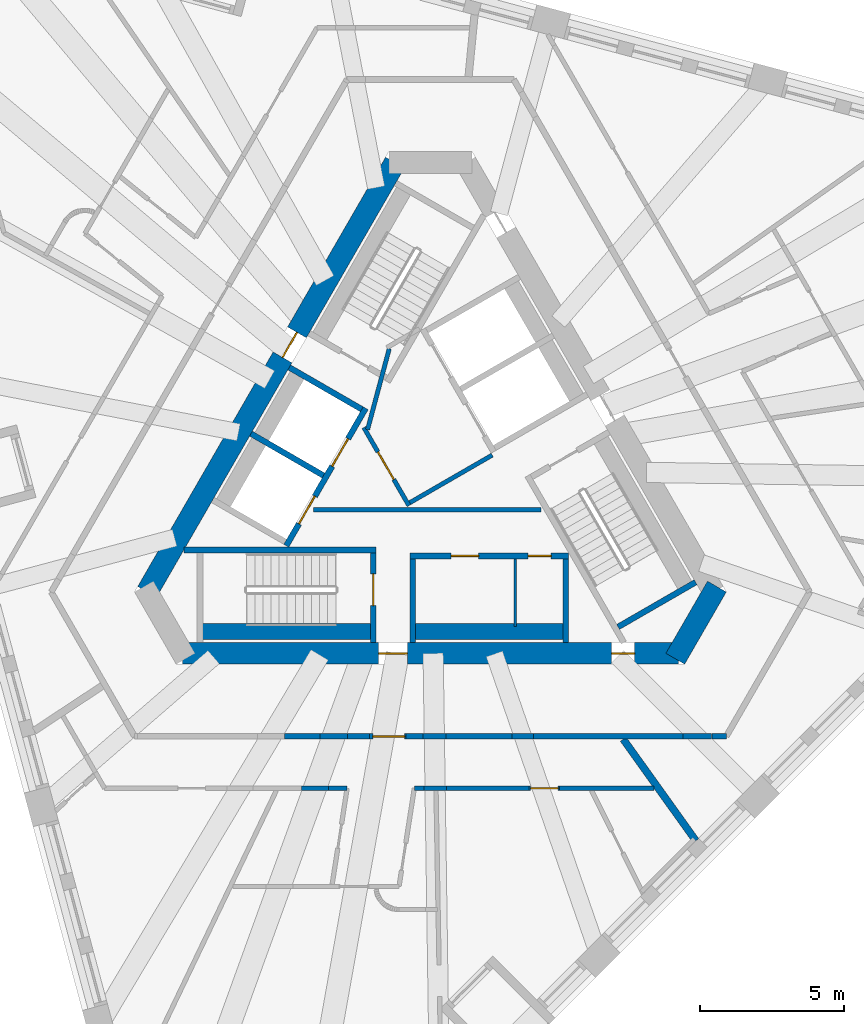
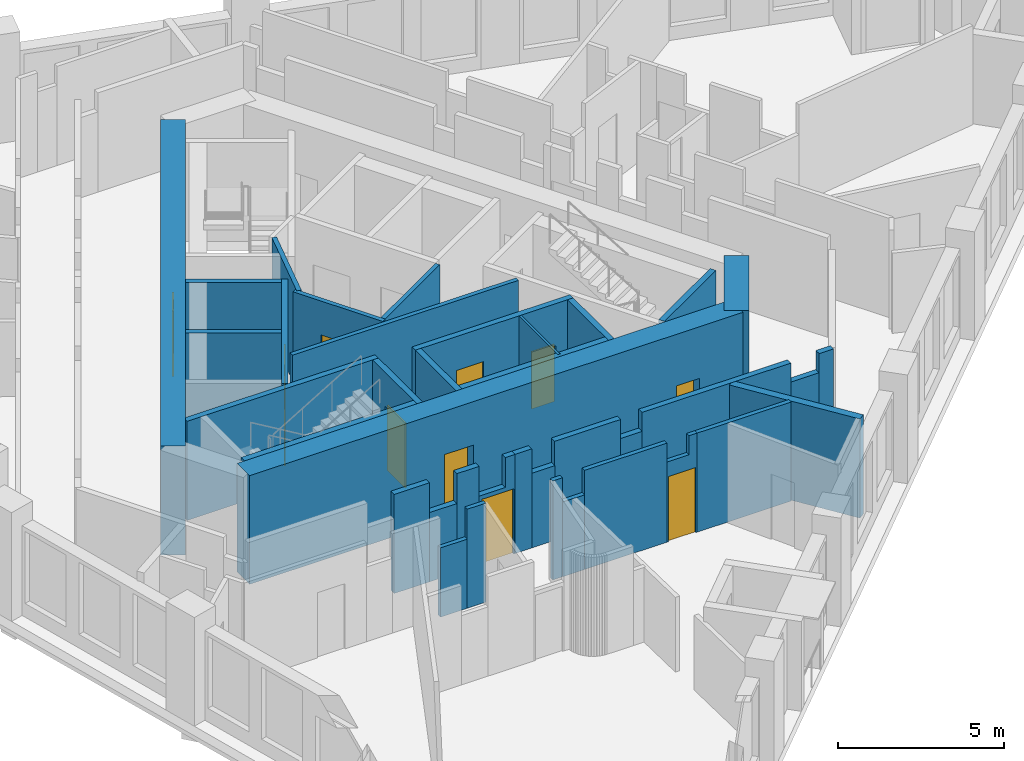
# One storey, part 4 of 13: 38 walls, 11 doors, 11 openings.
"""IFC4 building model written with IfcOpenShell, lengths in metres."""

import ifcopenshell
import ifcopenshell.guid

model = None  # the IFC model being written
_history = None  # IfcOwnerHistory: only IFC2X3 demands one
_inside = {}  # id of a spatial element -> (the spatial element, [elements in it])
_under = {}  # id of a project, library or spatial element -> (it, [spatial elements below it])
_declared = {}  # id of a project -> (the project, [libraries it declares])
_typed = {}  # id of a type object -> (the type object, [elements of that type])
_made_of = {}  # id of a material, layer set ... -> (it, [elements and type objects made of it])


def new_model(schema):
    """Start an empty IFC model of exactly this schema.

    Asked for "IFC4X3", IfcOpenShell would pick the latest addendum, in which some entities
    have other attributes; the version numbers below select the first issue.
    IFC2X3 requires an IfcOwnerHistory on every rooted entity: one is made here for all.
    """
    global model, _history
    if schema == "IFC4X3":
        model = ifcopenshell.file(schema_version=(4, 3, 0, 0))
    else:
        model = ifcopenshell.file(schema=schema)
    _inside.clear()
    _under.clear()
    _declared.clear()
    _typed.clear()
    _made_of.clear()
    _history = None
    if model.schema == "IFC2X3":
        org = make("IfcOrganization", Name="unknown")
        user = make(
            "IfcPersonAndOrganization",
            ThePerson=make("IfcPerson", FamilyName="unknown"),
            TheOrganization=org,
        )
        app = make(
            "IfcApplication",
            ApplicationDeveloper=org,
            Version="unknown",
            ApplicationFullName="unknown",
            ApplicationIdentifier="unknown",
        )
        _history = make(
            "IfcOwnerHistory",
            OwningUser=user,
            OwningApplication=app,
            ChangeAction="ADDED",
            CreationDate=0,
        )
    return model


def make(cls, **values):
    """One entity of the class cls with the attributes given. An attribute that is None is left unset."""
    return model.create_entity(
        cls, **{name: value for name, value in values.items() if value is not None}
    )


def rooted(cls, **values):
    """An entity with a GlobalId (a new one), such as an element, a storey or a relation."""
    return make(cls, GlobalId=ifcopenshell.guid.new(), OwnerHistory=_history, **values)


def si_unit(unit_type, name, prefix=None):
    """IfcSIUnit, for example si_unit("LENGTHUNIT", "METRE", prefix="MILLI")."""
    return make("IfcSIUnit", UnitType=unit_type, Prefix=prefix, Name=name)


def assignment(units):
    """IfcUnitAssignment: the units of a project."""
    return None if units is None else make("IfcUnitAssignment", Units=units)


def point(xyz):
    """IfcCartesianPoint."""
    return None if xyz is None else make("IfcCartesianPoint", Coordinates=xyz)


def direction(xyz):
    """IfcDirection."""
    return None if xyz is None else make("IfcDirection", DirectionRatios=xyz)


def frame(location, z_axis=None, x_axis=None):
    """IfcAxis2Placement3D, a coordinate frame: its origin and axes. An axis left out is left unset."""
    return make(
        "IfcAxis2Placement3D",
        Location=point(location),
        Axis=direction(z_axis),
        RefDirection=direction(x_axis),
    )


def frame_2d(location, x_axis=None):
    """IfcAxis2Placement2D, a coordinate frame in the plane: its origin and x axis."""
    return make(
        "IfcAxis2Placement2D", Location=point(location), RefDirection=direction(x_axis)
    )


def origin():
    """The frame at (0, 0, 0) with its axes left unset."""
    return frame((0.0, 0.0, 0.0))


def place(relative_to, where):
    """IfcLocalPlacement: puts the frame where relative to a parent placement (None: the world)."""
    return make(
        "IfcLocalPlacement", PlacementRelTo=relative_to, RelativePlacement=where
    )


def context(
    kind, dimensions, precision=None, world=None, true_north=None, identifier=None
):
    """IfcGeometricRepresentationContext, for example the 3D "Model" context."""
    return make(
        "IfcGeometricRepresentationContext",
        ContextIdentifier=identifier,
        ContextType=kind,
        CoordinateSpaceDimension=dimensions,
        Precision=precision,
        WorldCoordinateSystem=world,
        TrueNorth=true_north,
    )


def subcontext(parent, identifier, kind, view, scale=None):
    """IfcGeometricRepresentationSubContext, for example "Body" below "Model"."""
    return make(
        "IfcGeometricRepresentationSubContext",
        ContextIdentifier=identifier,
        ContextType=kind,
        ParentContext=parent,
        TargetScale=scale,
        TargetView=view,
    )


def project(units=None, contexts=None):
    """IfcProject with its units and contexts."""
    return rooted(
        "IfcProject",
        Name="project",
        RepresentationContexts=contexts,
        UnitsInContext=assignment(units),
    )


def spatial(cls, under=None, at=None, **own):
    """A site, building, storey or space (cls), placed at a placement, below another one or the project."""
    s = rooted(cls, ObjectPlacement=at, **own)
    if under is not None:
        _under.setdefault(under.id(), (under, []))[1].append(s)
    return s


def polyline(points):
    """IfcPolyline through the points."""
    return make("IfcPolyline", Points=[point(p) for p in points])


def profile(cls, at=None, kind="AREA", **sizes):
    """A parametric profile (cls). Its sizes go by their IFC names, for example OverallWidth=200.0."""
    return make(cls, ProfileType=kind, Position=at, **sizes)


def rectangle(**sizes):
    """IfcRectangleProfileDef."""
    return profile("IfcRectangleProfileDef", **sizes)


def outline(outer, holes=None, kind="AREA"):
    """IfcArbitraryClosedProfileDef: a profile drawn as a closed curve; with holes, ...WithVoids."""
    if holes is None:
        return make("IfcArbitraryClosedProfileDef", ProfileType=kind, OuterCurve=outer)
    return make(
        "IfcArbitraryProfileDefWithVoids",
        ProfileType=kind,
        OuterCurve=outer,
        InnerCurves=holes,
    )


def extrude(swept, where, along, depth):
    """IfcExtrudedAreaSolid: the profile swept, set in the frame where, extruded along a direction by depth."""
    return make(
        "IfcExtrudedAreaSolid",
        SweptArea=swept,
        Position=where,
        ExtrudedDirection=direction(along),
        Depth=depth,
    )


def shape(context_of_items, identifier, shape_type, items):
    """IfcShapeRepresentation: the items that make up one representation, for example the "Body"."""
    return make(
        "IfcShapeRepresentation",
        ContextOfItems=context_of_items,
        RepresentationIdentifier=identifier,
        RepresentationType=shape_type,
        Items=items,
    )


def material(Name=None, Category=None):
    """IfcMaterial."""
    return make("IfcMaterial", Name=Name, Category=Category)


def layer(
    of_material, thickness, ventilated=None, Name=None, Category=None, Priority=None
):
    """IfcMaterialLayer: one layer of a wall or slab, of a material (None: an air gap)."""
    return make(
        "IfcMaterialLayer",
        Material=of_material,
        LayerThickness=thickness,
        IsVentilated=ventilated,
        Name=Name,
        Category=Category,
        Priority=Priority,
    )


def layer_set(layers, Name=None):
    """IfcMaterialLayerSet."""
    return make("IfcMaterialLayerSet", MaterialLayers=layers, LayerSetName=Name)


def made_of(thing, what):
    """Note that an element or type object is made of a material, layer set ...; save() writes the relation."""
    if what is not None:
        _made_of.setdefault(what.id(), (what, []))[1].append(thing)
    return thing


def type_object(cls, material=None, **own):
    """A type object (cls), such as IfcWallType, which elements share."""
    return made_of(rooted(cls, **own), material)


def element(
    cls,
    number,
    at=None,
    inside=None,
    cuts=None,
    type_object=None,
    material=None,
    context=None,
    identifier="Body",
    shape_type=None,
    held_by="IfcProductDefinitionShape",
    body=None,
    shapes=None,
    **own,
):
    """One element of the class cls, such as IfcWall. Its Tag is "e" and its number.

    at: its placement. inside: the storey or other place that contains it. cuts: it is an
    opening in that element (IfcRelVoidsElement). A single representation is given by context,
    identifier, shape_type and body (its items); several are given by shapes. held_by: the class
    of the entity that holds the representations. save() writes the other relations.
    """
    e = rooted(cls, Tag="e%d" % number, ObjectPlacement=at, **own)
    if body is not None:
        shapes = [shape(context, identifier, shape_type, body)]
    if shapes is not None:
        e.Representation = make(held_by, Representations=shapes)
    if inside is not None:
        _inside.setdefault(inside.id(), (inside, []))[1].append(e)
    if cuts is not None:
        rooted(
            "IfcRelVoidsElement", RelatingBuildingElement=cuts, RelatedOpeningElement=e
        )
    if type_object is not None:
        _typed.setdefault(type_object.id(), (type_object, []))[1].append(e)
    return made_of(e, material)


def fill(opening, filler):
    """IfcRelFillsElement: the door or window that sits in an opening."""
    return rooted(
        "IfcRelFillsElement",
        RelatingOpeningElement=opening,
        RelatedBuildingElement=filler,
    )


def aggregate(whole, parts):
    """IfcRelAggregates: a whole, such as a stair, and the parts it consists of."""
    return rooted("IfcRelAggregates", RelatingObject=whole, RelatedObjects=parts)


def save(model, path):
    """Write the relations noted so far, then the file.

    IfcRelAggregates (storeys below a building ...), IfcRelContainedInSpatialStructure (elements
    in a storey), IfcRelDefinesByType, IfcRelAssociatesMaterial and IfcRelDeclares: one each for
    every whole, place, type object, material and project.
    """
    for whole, parts in _under.values():
        aggregate(whole, parts)
    for where, things in _inside.values():
        rooted(
            "IfcRelContainedInSpatialStructure",
            RelatedElements=things,
            RelatingStructure=where,
        )
    for kind, things in _typed.values():
        rooted("IfcRelDefinesByType", RelatedObjects=things, RelatingType=kind)
    for what, things in _made_of.values():
        rooted("IfcRelAssociatesMaterial", RelatedObjects=things, RelatingMaterial=what)
    for by, libraries in _declared.values():
        rooted("IfcRelDeclares", RelatingContext=by, RelatedDefinitions=libraries)
    model.write(path)


model = new_model("IFC4")

# Units and contexts
model_context = context("Model", 3, precision=1e-05, world=origin(), true_north=direction((0.0, 1.0)))
body_context = subcontext(model_context, "Body", "Model", "MODEL_VIEW")
ifc_project = project(units=[si_unit("LENGTHUNIT", "METRE"), si_unit("AREAUNIT", "SQUARE_METRE"), si_unit("VOLUMEUNIT", "CUBIC_METRE"), si_unit("PLANEANGLEUNIT", "RADIAN"), si_unit("MASSUNIT", "GRAM", prefix="KILO")], contexts=[model_context])

# Site, building, storey
site_placement = place(None, origin())
site = spatial("IfcSite", under=ifc_project, at=site_placement, CompositionType="ELEMENT")
building_placement = place(site_placement, origin())
building = spatial("IfcBuilding", under=site, at=building_placement, Name="Tramontana Tower", CompositionType="ELEMENT")
storey_placement = place(building_placement, frame((0.0, 0.0, 220.0)))
storey = spatial("IfcBuildingStorey", under=building, at=storey_placement, Name="L51", CompositionType="ELEMENT", Elevation=220.0)

# Wall, opening, door
ifc_material_1 = material(Name="Concrete 70 MPa", Category="concrete")
ifc_layer_1 = layer(ifc_material_1, 0.75)
ifc_layer_set_1 = layer_set([ifc_layer_1], Name="Core wall 750 70 MPa")
wall_type_1 = type_object("IfcWallType", Name="Core wall 750 70 MPa", PredefinedType="SHEAR", material=ifc_layer_set_1)
wall_1_placement = place(storey_placement, frame((-1.226806640625, 10.625, 0.0), z_axis=(0.0, 0.0, 1.0), x_axis=(-0.500002161919, -0.866024155596, 0.0)))
wall_1 = element("IfcWall", 1, at=wall_1_placement, inside=storey, type_object=wall_type_1, Name="Core wall C1 L51", PredefinedType="SHEAR", context=body_context, shape_type="SweptSolid", body=[
    extrude(rectangle(XDim=17.17626953125, YDim=0.75, at=frame_2d((8.588134765625, 0.0))), origin(), (0.0, 0.0, 1.0), 4.0),
])
opening_1_placement = place(wall_1_placement, frame((6.79296875, 0.0, 0.0)))
opening_1 = element("IfcOpeningElement", 2, at=opening_1_placement, cuts=wall_1, Name="Opening RG1", PredefinedType="OPENING", context=body_context, shape_type="SweptSolid", body=[
    extrude(rectangle(XDim=1.0, YDim=2.39990234375, at=frame_2d((0.5, 1.199951171875))), frame((0.0, 0.385009765625, 0.0), z_axis=(0.0, -1.0, 0.0), x_axis=(1.0, 0.0, 0.0)), (0.0, 0.0, 1.0), 0.77001953125),
])
ifc_material_2 = material(Name="Painted steel", Category="steel")
door_type_1 = type_object("IfcDoorType", Name="RING DOOR 1000", OperationType="SINGLE_SWING_LEFT", PredefinedType="DOOR", material=ifc_material_2)
door_1_placement = place(opening_1_placement, origin())
door_1 = element("IfcDoor", 3, at=door_1_placement, inside=storey, type_object=door_type_1, Name="Door RG1", OperationType="SINGLE_SWING_RIGHT", OverallHeight=2.39990234375, OverallWidth=1.0, PredefinedType="DOOR", context=body_context, shape_type="SweptSolid", body=[
    extrude(rectangle(XDim=1.0, YDim=2.39990234375, at=frame_2d((0.5, 1.199951171875))), frame((0.0, 0.02490234375, 0.0), z_axis=(0.0, -1.0, 0.0), x_axis=(1.0, 0.0, 0.0)), (0.0, 0.0, 1.0), 0.050048828125),
])
fill(opening_1, door_1)

# Wall, openings, doors
wall_2_placement = place(storey_placement, frame((-8.588134765625, -6.375, 0.0), z_axis=(0.0, 0.0, 1.0), x_axis=(1.0, 0.0, 0.0)))
wall_2 = element("IfcWall", 4, at=wall_2_placement, inside=storey, type_object=wall_type_1, Name="Core wall C3 L51", PredefinedType="SHEAR", context=body_context, shape_type="SweptSolid", body=[
    extrude(rectangle(XDim=17.17626953125, YDim=0.75, at=frame_2d((8.588134765625, 0.0))), origin(), (0.0, 0.0, 1.0), 4.0),
])
opening_2_placement = place(wall_2_placement, frame((6.793212890625, 0.0, 0.0)))
opening_2 = element("IfcOpeningElement", 5, at=opening_2_placement, cuts=wall_2, Name="Opening RG2", PredefinedType="OPENING", context=body_context, shape_type="SweptSolid", body=[
    extrude(rectangle(XDim=1.0, YDim=2.39990234375, at=frame_2d((0.5, 1.199951171875))), frame((0.0, 0.385009765625, 0.0), z_axis=(0.0, -1.0, 0.0), x_axis=(1.0, 0.0, 0.0)), (0.0, 0.0, 1.0), 0.77001953125),
])
opening_3_placement = place(wall_2_placement, frame((14.863525390625, 0.0, 0.0)))
opening_3 = element("IfcOpeningElement", 6, at=opening_3_placement, cuts=wall_2, Name="Opening PD2", PredefinedType="OPENING", context=body_context, shape_type="SweptSolid", body=[
    extrude(rectangle(XDim=0.800048828125, YDim=2.10009765625, at=frame_2d((0.39990234375, 1.050048828125))), frame((0.0, 0.385009765625, 0.0), z_axis=(0.0, -1.0, 0.0), x_axis=(1.0, 0.0, 0.0)), (0.0, 0.0, 1.0), 0.77001953125),
])
ifc_material_3 = material(Name="Painted steel", Category="steel")
door_type_2 = type_object("IfcDoorType", Name="CUPBOARD DOOR 800", OperationType="SINGLE_SWING_LEFT", PredefinedType="DOOR", material=ifc_material_3)
door_2_placement = place(opening_3_placement, origin())
door_2 = element("IfcDoor", 7, at=door_2_placement, inside=storey, type_object=door_type_2, Name="Door PD2", OperationType="SINGLE_SWING_LEFT", OverallHeight=2.10009765625, OverallWidth=0.800048828125, PredefinedType="DOOR", context=body_context, shape_type="SweptSolid", body=[
    extrude(rectangle(XDim=0.800048828125, YDim=2.10009765625, at=frame_2d((0.39990234375, 1.050048828125))), frame((0.0, 0.02490234375, 0.0), z_axis=(0.0, -1.0, 0.0), x_axis=(1.0, 0.0, 0.0)), (0.0, 0.0, 1.0), 0.050048828125),
])
fill(opening_3, door_2)
door_3_placement = place(opening_2_placement, origin())
door_3 = element("IfcDoor", 8, at=door_3_placement, inside=storey, type_object=door_type_1, Name="Door RG2", OperationType="SINGLE_SWING_LEFT", OverallHeight=2.39990234375, OverallWidth=1.0, PredefinedType="DOOR", context=body_context, shape_type="SweptSolid", body=[
    extrude(rectangle(XDim=1.0, YDim=2.39990234375, at=frame_2d((0.5, 1.199951171875))), frame((0.0, 0.02490234375, 0.0), z_axis=(0.0, -1.0, 0.0), x_axis=(1.0, 0.0, 0.0)), (0.0, 0.0, 1.0), 0.050048828125),
])
fill(opening_2, door_3)

# Walls
wall_3_placement = place(storey_placement, frame((8.479736328125, -6.5625, 0.0), z_axis=(0.0, 0.0, 1.0), x_axis=(0.499995765644, 0.866027848477, 0.0)))
element("IfcWall", 9, at=wall_3_placement, inside=storey, type_object=wall_type_1, Name="Core wall C4 L51", PredefinedType="SHEAR", context=body_context, shape_type="SweptSolid", body=[
    extrude(rectangle(XDim=2.88671875, YDim=0.75, at=frame_2d((1.443359375, 0.0))), origin(), (0.0, 0.0, 1.0), 4.0),
])
ifc_material_4 = material(Name="Blockwork", Category="masonry")
ifc_layer_2 = layer(ifc_material_4, 0.199951171875)
ifc_layer_set_2 = layer_set([ifc_layer_2], Name="ENTRY WALL 200")
wall_type_2 = type_object("IfcWallType", Name="ENTRY WALL 200", PredefinedType="SOLIDWALL", material=ifc_layer_set_2)
wall_4_placement = place(storey_placement, frame((10.248046875, -9.25, 0.0), z_axis=(0.0, 0.0, 1.0), x_axis=(-1.0, 0.0, 0.0)))
element("IfcWall", 10, at=wall_4_placement, inside=storey, type_object=wall_type_2, Name="Wall v51-ew2-0", PredefinedType="SOLIDWALL", context=body_context, shape_type="SweptSolid", body=[
    extrude(rectangle(XDim=0.503173828125, YDim=0.199951171875, at=frame_2d((0.25146484375, 0.0))), origin(), (0.0, 0.0, 1.0), 3.64990234375),
])
wall_5_placement = place(storey_placement, frame((9.744873046875, -9.25, 0.0), z_axis=(0.0, 0.0, 1.0), x_axis=(-1.0, 0.0, 0.0)))
element("IfcWall", 11, at=wall_5_placement, inside=storey, type_object=wall_type_2, Name="Wall v51-ew2-1", PredefinedType="SOLIDWALL", context=body_context, shape_type="SweptSolid", body=[
    extrude(rectangle(XDim=0.98974609375, YDim=0.199951171875, at=frame_2d((0.494873046875, 0.0))), origin(), (0.0, 0.0, 1.0), 2.949951171875),
])
wall_6_placement = place(storey_placement, frame((8.755126953125, -9.25, 0.0), z_axis=(0.0, 0.0, 1.0), x_axis=(-1.0, 0.0, 0.0)))
element("IfcWall", 12, at=wall_6_placement, inside=storey, type_object=wall_type_2, Name="Wall v51-ew2-2", PredefinedType="SOLIDWALL", context=body_context, shape_type="SweptSolid", body=[
    extrude(rectangle(XDim=5.18212890625, YDim=0.199951171875, at=frame_2d((2.591064453125, 0.0))), origin(), (0.0, 0.0, 1.0), 3.64990234375),
])
wall_7_placement = place(storey_placement, frame((3.572998046875, -9.25, 0.0), z_axis=(0.0, 0.0, 1.0), x_axis=(-1.0, 0.0, 0.0)))
element("IfcWall", 13, at=wall_7_placement, inside=storey, type_object=wall_type_2, Name="Wall v51-ew2-3", PredefinedType="SOLIDWALL", context=body_context, shape_type="SweptSolid", body=[
    extrude(rectangle(XDim=0.74072265625, YDim=0.199951171875, at=frame_2d((0.370361328125, 0.0))), origin(), (0.0, 0.0, 1.0), 2.949951171875),
])
wall_8_placement = place(storey_placement, frame((2.832275390625, -9.25, 0.0), z_axis=(0.0, 0.0, 1.0), x_axis=(-1.0, 0.0, 0.0)))
element("IfcWall", 14, at=wall_8_placement, inside=storey, type_object=wall_type_2, Name="Wall v51-ew2-4", PredefinedType="SOLIDWALL", context=body_context, shape_type="SweptSolid", body=[
    extrude(rectangle(XDim=2.29736328125, YDim=0.199951171875, at=frame_2d((1.148681640625, 0.0))), origin(), (0.0, 0.0, 1.0), 3.64990234375),
])
wall_9_placement = place(storey_placement, frame((0.534912109375, -9.25, 0.0), z_axis=(0.0, 0.0, 1.0), x_axis=(-1.0, 0.0, 0.0)))
element("IfcWall", 15, at=wall_9_placement, inside=storey, type_object=wall_type_2, Name="Wall v51-ew2-5", PredefinedType="SOLIDWALL", context=body_context, shape_type="SweptSolid", body=[
    extrude(rectangle(XDim=0.800048828125, YDim=0.199951171875, at=frame_2d((0.39990234375, 0.0))), origin(), (0.0, 0.0, 1.0), 2.75),
])
wall_10_placement = place(storey_placement, frame((-0.26513671875, -9.25, 0.0), z_axis=(0.0, 0.0, 1.0), x_axis=(-1.0, 0.0, 0.0)))
element("IfcWall", 16, at=wall_10_placement, inside=storey, type_object=wall_type_2, Name="Wall v51-ew2-6", PredefinedType="SOLIDWALL", context=body_context, shape_type="SweptSolid", body=[
    extrude(rectangle(XDim=0.576171875, YDim=0.199951171875, at=frame_2d((0.2880859375, 0.0))), origin(), (0.0, 0.0, 1.0), 3.64990234375),
])

# Wall, opening, door
wall_11_placement = place(storey_placement, frame((-0.84130859375, -9.25, 0.0), z_axis=(0.0, 0.0, 1.0), x_axis=(-1.0, 0.0, 0.0)))
wall_11 = element("IfcWall", 17, at=wall_11_placement, inside=storey, type_object=wall_type_2, Name="Wall v51-ew2-7", PredefinedType="SOLIDWALL", context=body_context, shape_type="SweptSolid", body=[
    extrude(outline(polyline([(0.0, 0.0), (1.261474609375, 0.0), (1.261474609375, 2.550048828125), (0.347412109375, 2.550048828125), (0.347412109375, 3.64990234375), (0.0, 3.64990234375), (0.0, 0.0)])), frame((0.0, 0.10009765625, 0.0), z_axis=(0.0, -1.0, 0.0), x_axis=(1.0, 0.0, 0.0)), (0.0, 0.0, 1.0), 0.199951171875),
])
opening_4_placement = place(wall_11_placement, frame((0.050048828125, 0.0, 0.0)))
opening_4 = element("IfcOpeningElement", 18, at=opening_4_placement, cuts=wall_11, Name="Opening B5B-20", PredefinedType="OPENING", context=body_context, shape_type="SweptSolid", body=[
    extrude(rectangle(XDim=1.10009765625, YDim=2.39990234375, at=frame_2d((0.550048828125, 1.199951171875))), frame((0.0, 0.10986328125, 0.0), z_axis=(0.0, -1.0, 0.0), x_axis=(1.0, 0.0, 0.0)), (0.0, 0.0, 1.0), 0.219970703125),
])
ifc_material_5 = material(Name="Painted timber", Category="wood")
door_type_3 = type_object("IfcDoorType", Name="DOOR ENTRY 1100", OperationType="SINGLE_SWING_LEFT", PredefinedType="DOOR", material=ifc_material_5)
door_4_placement = place(opening_4_placement, origin())
door_4 = element("IfcDoor", 19, at=door_4_placement, inside=storey, type_object=door_type_3, Name="Door B5B-20", OperationType="SINGLE_SWING_RIGHT", OverallHeight=2.39990234375, OverallWidth=1.10009765625, PredefinedType="DOOR", context=body_context, shape_type="SweptSolid", body=[
    extrude(rectangle(XDim=1.10009765625, YDim=2.39990234375, at=frame_2d((0.550048828125, 1.199951171875))), frame((0.0, 0.02490234375, 0.0), z_axis=(0.0, -1.0, 0.0), x_axis=(1.0, 0.0, 0.0)), (0.0, 0.0, 1.0), 0.050048828125),
])
fill(opening_4, door_4)

# Walls
wall_12_placement = place(storey_placement, frame((-2.102783203125, -9.25, 0.0), z_axis=(0.0, 0.0, 1.0), x_axis=(-1.0, 0.0, 0.0)))
element("IfcWall", 20, at=wall_12_placement, inside=storey, type_object=wall_type_2, Name="Wall v51-ew2-8", PredefinedType="SOLIDWALL", context=body_context, shape_type="SweptSolid", body=[
    extrude(rectangle(XDim=0.76904296875, YDim=0.199951171875, at=frame_2d((0.384521484375, 0.0))), origin(), (0.0, 0.0, 1.0), 3.64990234375),
])
wall_13_placement = place(storey_placement, frame((-2.871826171875, -9.25, 0.0), z_axis=(0.0, 0.0, 1.0), x_axis=(-1.0, 0.0, 0.0)))
element("IfcWall", 21, at=wall_13_placement, inside=storey, type_object=wall_type_2, Name="Wall v51-ew2-9", PredefinedType="SOLIDWALL", context=body_context, shape_type="SweptSolid", body=[
    extrude(rectangle(XDim=0.957275390625, YDim=0.199951171875, at=frame_2d((0.478515625, 0.0))), origin(), (0.0, 0.0, 1.0), 2.550048828125),
])
wall_14_placement = place(storey_placement, frame((-3.8291015625, -9.25, 0.0), z_axis=(0.0, 0.0, 1.0), x_axis=(-1.0, 0.0, 0.0)))
element("IfcWall", 22, at=wall_14_placement, inside=storey, type_object=wall_type_2, Name="Wall v51-ew2-10", PredefinedType="SOLIDWALL", context=body_context, shape_type="SweptSolid", body=[
    extrude(rectangle(XDim=1.22705078125, YDim=0.199951171875, at=frame_2d((0.613525390625, 0.0))), origin(), (0.0, 0.0, 1.0), 3.64990234375),
])

# Wall, opening, door
ifc_material_6 = material(Name="Gypsum board partition")
ifc_layer_3 = layer(ifc_material_6, 0.14990234375)
ifc_layer_set_3 = layer_set([ifc_layer_3], Name="PARTITION 150")
wall_type_3 = type_object("IfcWallType", Name="PARTITION 150", PredefinedType="PARTITIONING", material=ifc_layer_set_3)
wall_15_placement = place(storey_placement, frame((-0.744140625, -1.260986328125, 0.0), z_axis=(0.0, 0.0, 1.0), x_axis=(-0.500004234368, 0.866022959057, 0.0)))
wall_15 = element("IfcWall", 23, at=wall_15_placement, inside=storey, type_object=wall_type_3, Name="Wall ff-front", PredefinedType="PARTITIONING", context=body_context, shape_type="SweptSolid", body=[
    extrude(rectangle(XDim=3.125, YDim=0.14990234375, at=frame_2d((1.5625, 0.0))), origin(), (0.0, 0.0, 1.0), 3.64990234375),
])
opening_5_placement = place(wall_15_placement, frame((1.050048828125, 0.0, 0.0)))
opening_5 = element("IfcOpeningElement", 24, at=opening_5_placement, cuts=wall_15, Name="Opening FD1", PredefinedType="OPENING", context=body_context, shape_type="SweptSolid", body=[
    extrude(rectangle(XDim=1.10009765625, YDim=2.39990234375, at=frame_2d((0.550048828125, 1.199951171875))), frame((0.0, 0.0849609375, 0.0), z_axis=(0.0, -1.0, 0.0), x_axis=(1.0, 0.0, 0.0)), (0.0, 0.0, 1.0), 0.169921875),
])
door_5_placement = place(opening_5_placement, origin())
door_5 = element("IfcDoor", 25, at=door_5_placement, inside=storey, type_object=door_type_3, Name="Door FD1", OperationType="SINGLE_SWING_LEFT", OverallHeight=2.39990234375, OverallWidth=1.10009765625, PredefinedType="DOOR", context=body_context, shape_type="SweptSolid", body=[
    extrude(rectangle(XDim=1.10009765625, YDim=2.39990234375, at=frame_2d((0.550048828125, 1.199951171875))), frame((0.0, 0.02490234375, 0.0), z_axis=(0.0, -1.0, 0.0), x_axis=(1.0, 0.0, 0.0)), (0.0, 0.0, 1.0), 0.050048828125),
])
fill(opening_5, door_5)

# Walls
wall_16_placement = place(storey_placement, frame((-0.716796875, -1.15869140625, 0.0), z_axis=(0.0, 0.0, 1.0), x_axis=(0.866008176907, 0.50002983664, 0.0)))
element("IfcWall", 26, at=wall_16_placement, inside=storey, type_object=wall_type_3, Name="Wall ff-end0", PredefinedType="PARTITIONING", context=body_context, shape_type="SweptSolid", body=[
    extrude(rectangle(XDim=3.300048828125, YDim=0.14990234375, at=frame_2d((1.64990234375, 0.0))), origin(), (0.0, 0.0, 1.0), 3.64990234375),
])
wall_17_placement = place(storey_placement, frame((-2.177978515625, 1.372314453125, 0.0), z_axis=(0.0, 0.0, 1.0), x_axis=(0.258808958833, 0.96592852884, 0.0)))
element("IfcWall", 27, at=wall_17_placement, inside=storey, type_object=wall_type_3, Name="Wall ff-diag", PredefinedType="PARTITIONING", context=body_context, shape_type="SweptSolid", body=[
    extrude(rectangle(XDim=2.902587890625, YDim=0.14990234375, at=frame_2d((1.451171875, 0.0))), origin(), (0.0, 0.0, 1.0), 3.64990234375),
])
wall_18_placement = place(storey_placement, frame((-4.053466796875, -1.39990234375, 0.0), z_axis=(0.0, 0.0, 1.0), x_axis=(1.0, 0.0, 0.0)))
element("IfcWall", 28, at=wall_18_placement, inside=storey, type_object=wall_type_3, Name="Wall hub-cut1", PredefinedType="PARTITIONING", context=body_context, shape_type="SweptSolid", body=[
    extrude(rectangle(XDim=7.8759765625, YDim=0.14990234375, at=frame_2d((3.93798828125, 0.0))), origin(), (0.0, 0.0, 1.0), 3.64990234375),
])
wall_19_placement = place(storey_placement, frame((-2.8857421875, -11.050048828125, 0.0), z_axis=(0.0, 0.0, 1.0), x_axis=(-1.0, 0.0, 0.0)))
element("IfcWall", 29, at=wall_19_placement, inside=storey, type_object=wall_type_3, Name="Wall v51-pw32-0", PredefinedType="PARTITIONING", context=body_context, shape_type="SweptSolid", body=[
    extrude(rectangle(XDim=0.6513671875, YDim=0.14990234375, at=frame_2d((0.32568359375, 0.0))), origin(), (0.0, 0.0, 1.0), 3.64990234375),
])
wall_20_placement = place(storey_placement, frame((-3.537109375, -11.050048828125, 0.0), z_axis=(0.0, 0.0, 1.0), x_axis=(-1.0, 0.0, 0.0)))
element("IfcWall", 30, at=wall_20_placement, inside=storey, type_object=wall_type_3, Name="Wall v51-pw32-1", PredefinedType="PARTITIONING", context=body_context, shape_type="SweptSolid", body=[
    extrude(rectangle(XDim=0.9306640625, YDim=0.14990234375, at=frame_2d((0.46533203125, 0.0))), origin(), (0.0, 0.0, 1.0), 2.550048828125),
])
wall_21_placement = place(storey_placement, frame((7.7412109375, -11.050048828125, 0.0), z_axis=(0.0, 0.0, 1.0), x_axis=(-1.0, 0.0, 0.0)))
element("IfcWall", 31, at=wall_21_placement, inside=storey, type_object=wall_type_3, Name="Wall v51-pw57-0", PredefinedType="PARTITIONING", context=body_context, shape_type="SweptSolid", body=[
    extrude(rectangle(XDim=3.27099609375, YDim=0.14990234375, at=frame_2d((1.635498046875, 0.0))), origin(), (0.0, 0.0, 1.0), 3.64990234375),
])

# Wall, opening, door
wall_22_placement = place(storey_placement, frame((4.47021484375, -11.050048828125, 0.0), z_axis=(0.0, 0.0, 1.0), x_axis=(-1.0, 0.0, 0.0)))
wall_22 = element("IfcWall", 32, at=wall_22_placement, inside=storey, type_object=wall_type_3, Name="Wall v51-pw57-1", PredefinedType="PARTITIONING", context=body_context, shape_type="SweptSolid", body=[
    extrude(outline(polyline([(0.0, 0.0), (1.050048828125, 0.0), (1.050048828125, 2.949951171875), (0.287109375, 2.949951171875), (0.287109375, 3.64990234375), (0.0, 3.64990234375), (0.0, 0.0)])), frame((0.0, 0.074951171875, 0.0), z_axis=(0.0, -1.0, 0.0), x_axis=(1.0, 0.0, 0.0)), (0.0, 0.0, 1.0), 0.14990234375),
])
opening_6_placement = place(wall_22_placement, frame((0.050048828125, 0.0, 0.0)))
opening_6 = element("IfcOpeningElement", 33, at=opening_6_placement, cuts=wall_22, Name="Opening B5B-10", PredefinedType="OPENING", context=body_context, shape_type="SweptSolid", body=[
    extrude(rectangle(XDim=0.949951171875, YDim=2.39990234375, at=frame_2d((0.47509765625, 1.199951171875))), frame((0.0, 0.0849609375, 0.0), z_axis=(0.0, -1.0, 0.0), x_axis=(1.0, 0.0, 0.0)), (0.0, 0.0, 1.0), 0.169921875),
])
ifc_material_7 = material(Name="Painted timber", Category="wood")
door_type_4 = type_object("IfcDoorType", Name="DOOR ROOM 950", OperationType="SINGLE_SWING_LEFT", PredefinedType="DOOR", material=ifc_material_7)
door_6_placement = place(opening_6_placement, origin())
door_6 = element("IfcDoor", 34, at=door_6_placement, inside=storey, type_object=door_type_4, Name="Door B5B-10", OperationType="SINGLE_SWING_RIGHT", OverallHeight=2.39990234375, OverallWidth=0.949951171875, PredefinedType="DOOR", context=body_context, shape_type="SweptSolid", body=[
    extrude(rectangle(XDim=0.949951171875, YDim=2.39990234375, at=frame_2d((0.47509765625, 1.199951171875))), frame((0.0, 0.02490234375, 0.0), z_axis=(0.0, -1.0, 0.0), x_axis=(1.0, 0.0, 0.0)), (0.0, 0.0, 1.0), 0.050048828125),
])
fill(opening_6, door_6)

# Walls
wall_23_placement = place(storey_placement, frame((3.420166015625, -11.050048828125, 0.0), z_axis=(0.0, 0.0, 1.0), x_axis=(-1.0, 0.0, 0.0)))
element("IfcWall", 35, at=wall_23_placement, inside=storey, type_object=wall_type_3, Name="Wall v51-pw57-2", PredefinedType="PARTITIONING", context=body_context, shape_type="SweptSolid", body=[
    extrude(rectangle(XDim=2.871337890625, YDim=0.14990234375, at=frame_2d((1.435546875, 0.0))), origin(), (0.0, 0.0, 1.0), 3.64990234375),
])
wall_24_placement = place(storey_placement, frame((0.548828125, -11.050048828125, 0.0), z_axis=(0.0, 0.0, 1.0), x_axis=(-1.0, 0.0, 0.0)))
element("IfcWall", 36, at=wall_24_placement, inside=storey, type_object=wall_type_3, Name="Wall v51-pw57-3", PredefinedType="PARTITIONING", context=body_context, shape_type="SweptSolid", body=[
    extrude(rectangle(XDim=0.775146484375, YDim=0.14990234375, at=frame_2d((0.3876953125, 0.0))), origin(), (0.0, 0.0, 1.0), 2.75),
])
wall_25_placement = place(storey_placement, frame((-0.226318359375, -11.050048828125, 0.0), z_axis=(0.0, 0.0, 1.0), x_axis=(-1.0, 0.0, 0.0)))
element("IfcWall", 37, at=wall_25_placement, inside=storey, type_object=wall_type_3, Name="Wall v51-pw57-4", PredefinedType="PARTITIONING", context=body_context, shape_type="SweptSolid", body=[
    extrude(rectangle(XDim=0.331787109375, YDim=0.14990234375, at=frame_2d((0.166015625, 0.0))), origin(), (0.0, 0.0, 1.0), 3.64990234375),
])
ifc_material_8 = material(Name="Gypsum board partition")
ifc_layer_4 = layer(ifc_material_8, 0.080078125)
ifc_layer_set_4 = layer_set([ifc_layer_4], Name="PARTITION 80")
wall_type_4 = type_object("IfcWallType", Name="PARTITION 80", PredefinedType="PARTITIONING", material=ifc_layer_set_4)
wall_26_placement = place(storey_placement, frame((2.93994140625, -3.10009765625, 0.0), z_axis=(0.0, 0.0, 1.0), x_axis=(0.0, -1.0, 0.0)))
element("IfcWall", 38, at=wall_26_placement, inside=storey, type_object=wall_type_4, Name="Wall row1-split", PredefinedType="PARTITIONING", context=body_context, shape_type="SweptSolid", body=[
    extrude(rectangle(XDim=2.349853515625, YDim=0.080078125, at=frame_2d((1.1748046875, 0.0))), origin(), (0.0, 0.0, 1.0), 3.64990234375),
])
ifc_material_9 = material(Name="Blockwork", Category="masonry")
ifc_layer_5 = layer(ifc_material_9, 0.25)
ifc_layer_set_5 = layer_set([ifc_layer_5], Name="PARTY WALL 250")
wall_type_5 = type_object("IfcWallType", Name="PARTY WALL 250", PredefinedType="SOLIDWALL", material=ifc_layer_set_5)
wall_27_placement = place(storey_placement, frame((6.68017578125, -9.35009765625, 0.0), z_axis=(0.0, 0.0, 1.0), x_axis=(0.581382403907, -0.813630444629, 0.0)))
element("IfcWall", 39, at=wall_27_placement, inside=storey, type_object=wall_type_5, Name="Wall v51-pw55", PredefinedType="SOLIDWALL", context=body_context, shape_type="SweptSolid", body=[
    extrude(rectangle(XDim=4.32373046875, YDim=0.25, at=frame_2d((2.161865234375, 0.0))), origin(), (0.0, 0.0, 1.0), 3.64990234375),
])
ifc_material_10 = material(Name="Concrete 70 MPa", Category="concrete")
ifc_layer_6 = layer(ifc_material_10, 0.550048828125)
ifc_layer_set_6 = layer_set([ifc_layer_6], Name="Concrete 70 MPa, 550 mm")
wall_type_6 = type_object("IfcWallType", Name="RC SHAFT BACK WALL 550", PredefinedType="SOLIDWALL", material=ifc_layer_set_6)
wall_28_placement = place(storey_placement, frame((-8.080078125, -5.625, 0.0), z_axis=(0.0, 0.0, 1.0), x_axis=(1.0, 0.0, 0.0)))
element("IfcWall", 40, at=wall_28_placement, inside=storey, type_object=wall_type_6, Name="Wall st2-back", PredefinedType="SOLIDWALL", context=body_context, shape_type="SweptSolid", body=[
    extrude(rectangle(XDim=6.2001953125, YDim=0.550048828125, at=frame_2d((3.10009765625, 0.0))), origin(), (0.0, 0.0, 1.0), 3.64990234375),
])
wall_29_placement = place(storey_placement, frame((-0.7099609375, -5.625, 0.0), z_axis=(0.0, 0.0, 1.0), x_axis=(1.0, 0.0, 0.0)))
element("IfcWall", 41, at=wall_29_placement, inside=storey, type_object=wall_type_6, Name="Wall row1-back", PredefinedType="SOLIDWALL", context=body_context, shape_type="SweptSolid", body=[
    extrude(rectangle(XDim=5.5, YDim=0.550048828125, at=frame_2d((2.75, 0.0))), origin(), (0.0, 0.0, 1.0), 3.64990234375),
])
ifc_material_11 = material(Name="Concrete 70 MPa", Category="concrete")
ifc_layer_7 = layer(ifc_material_11, 0.199951171875)
ifc_layer_set_7 = layer_set([ifc_layer_7], Name="Concrete 70 MPa, 200 mm")
wall_type_7 = type_object("IfcWallType", Name="RC STAIR AND SHAFT WALL 200", PredefinedType="SOLIDWALL", material=ifc_layer_set_7)
wall_30_placement = place(storey_placement, frame((-8.544677734375, -2.800048828125, 0.0), z_axis=(0.0, 0.0, 1.0), x_axis=(1.0, 0.0, 0.0)))
element("IfcWall", 42, at=wall_30_placement, inside=storey, type_object=wall_type_7, Name="Wall st2-front", PredefinedType="SOLIDWALL", context=body_context, shape_type="SweptSolid", body=[
    extrude(rectangle(XDim=6.664794921875, YDim=0.199951171875, at=frame_2d((3.33251953125, 0.0))), origin(), (0.0, 0.0, 1.0), 3.64990234375),
])

# Wall, opening, door
wall_31_placement = place(storey_placement, frame((-1.97998046875, -2.89990234375, 0.0), z_axis=(0.0, 0.0, 1.0), x_axis=(0.0, -1.0, 0.0)))
wall_31 = element("IfcWall", 43, at=wall_31_placement, inside=storey, type_object=wall_type_7, Name="Wall st2-near", PredefinedType="SOLIDWALL", context=body_context, shape_type="SweptSolid", body=[
    extrude(rectangle(XDim=3.10009765625, YDim=0.199951171875, at=frame_2d((1.550048828125, 0.0))), origin(), (0.0, 0.0, 1.0), 3.64990234375),
])
opening_7_placement = place(wall_31_placement, frame((0.72509765625, 0.0, 0.0)))
opening_7 = element("IfcOpeningElement", 44, at=opening_7_placement, cuts=wall_31, Name="Opening SD2", PredefinedType="OPENING", context=body_context, shape_type="SweptSolid", body=[
    extrude(rectangle(XDim=1.10009765625, YDim=2.39990234375, at=frame_2d((0.550048828125, 1.199951171875))), frame((0.0, 0.10986328125, 0.0), z_axis=(0.0, -1.0, 0.0), x_axis=(1.0, 0.0, 0.0)), (0.0, 0.0, 1.0), 0.219970703125),
])
ifc_material_12 = material(Name="Painted steel", Category="steel")
door_type_5 = type_object("IfcDoorType", Name="STAIR DOOR 1100", OperationType="SINGLE_SWING_LEFT", PredefinedType="DOOR", material=ifc_material_12)
door_7_placement = place(opening_7_placement, origin())
door_7 = element("IfcDoor", 45, at=door_7_placement, inside=storey, type_object=door_type_5, Name="Door SD2", OperationType="SINGLE_SWING_LEFT", OverallHeight=2.39990234375, OverallWidth=1.10009765625, PredefinedType="DOOR", context=body_context, shape_type="SweptSolid", body=[
    extrude(rectangle(XDim=1.10009765625, YDim=2.39990234375, at=frame_2d((0.550048828125, 1.199951171875))), frame((0.0, 0.02490234375, 0.0), z_axis=(0.0, -1.0, 0.0), x_axis=(1.0, 0.0, 0.0)), (0.0, 0.0, 1.0), 0.050048828125),
])
fill(opening_7, door_7)

# Wall
wall_32_placement = place(storey_placement, frame((6.50146484375, -5.4609375, 0.0), z_axis=(0.0, 0.0, 1.0), x_axis=(0.86600983753, 0.500026960575, 0.0)))
element("IfcWall", 46, at=wall_32_placement, inside=storey, type_object=wall_type_7, Name="Wall st3-far", PredefinedType="SOLIDWALL", context=body_context, shape_type="SweptSolid", body=[
    extrude(rectangle(XDim=3.099853515625, YDim=0.199951171875, at=frame_2d((1.5498046875, 0.0))), origin(), (0.0, 0.0, 1.0), 3.64990234375),
])

# Wall, openings, doors
wall_33_placement = place(storey_placement, frame((-2.2431640625, 2.114990234375, 0.0), z_axis=(0.0, 0.0, 1.0), x_axis=(-0.499996545922, -0.866027397988, 0.0)))
wall_33 = element("IfcWall", 47, at=wall_33_placement, inside=storey, type_object=wall_type_7, Name="Wall row0-front", PredefinedType="SOLIDWALL", context=body_context, shape_type="SweptSolid", body=[
    extrude(rectangle(XDim=5.5, YDim=0.199951171875, at=frame_2d((2.75, 0.0))), origin(), (0.0, 0.0, 1.0), 3.64990234375),
])
opening_8_placement = place(wall_33_placement, frame((1.219970703125, 0.0, 0.0)))
opening_8 = element("IfcOpeningElement", 48, at=opening_8_placement, cuts=wall_33, Name="Opening LD-P1", PredefinedType="OPENING", context=body_context, shape_type="SweptSolid", body=[
    extrude(rectangle(XDim=1.10009765625, YDim=2.10009765625, at=frame_2d((0.550048828125, 1.050048828125))), frame((0.0, 0.10986328125, 0.0), z_axis=(0.0, -1.0, 0.0), x_axis=(1.0, 0.0, 0.0)), (0.0, 0.0, 1.0), 0.219970703125),
])
opening_9_placement = place(wall_33_placement, frame((3.52490234375, 0.0, 0.0)))
opening_9 = element("IfcOpeningElement", 49, at=opening_9_placement, cuts=wall_33, Name="Opening LD-P2", PredefinedType="OPENING", context=body_context, shape_type="SweptSolid", body=[
    extrude(rectangle(XDim=1.10009765625, YDim=2.10009765625, at=frame_2d((0.550048828125, 1.050048828125))), frame((0.0, 0.10986328125, 0.0), z_axis=(0.0, -1.0, 0.0), x_axis=(1.0, 0.0, 0.0)), (0.0, 0.0, 1.0), 0.219970703125),
])
ifc_material_13 = material(Name="Brushed steel", Category="steel")
door_type_6 = type_object("IfcDoorType", Name="LANDING DOOR 1100", OperationType="SINGLE_SWING_LEFT", PredefinedType="DOOR", material=ifc_material_13)
door_8_placement = place(opening_8_placement, origin())
door_8 = element("IfcDoor", 50, at=door_8_placement, inside=storey, type_object=door_type_6, Name="Door LD-P1", OperationType="SLIDING_TO_LEFT", OverallHeight=2.10009765625, OverallWidth=1.10009765625, PredefinedType="DOOR", context=body_context, shape_type="SweptSolid", body=[
    extrude(rectangle(XDim=1.10009765625, YDim=2.10009765625, at=frame_2d((0.550048828125, 1.050048828125))), frame((0.0, 0.02490234375, 0.0), z_axis=(0.0, -1.0, 0.0), x_axis=(1.0, 0.0, 0.0)), (0.0, 0.0, 1.0), 0.050048828125),
])
fill(opening_8, door_8)
door_9_placement = place(opening_9_placement, origin())
door_9 = element("IfcDoor", 51, at=door_9_placement, inside=storey, type_object=door_type_6, Name="Door LD-P2", OperationType="SLIDING_TO_RIGHT", OverallHeight=2.10009765625, OverallWidth=1.10009765625, PredefinedType="DOOR", context=body_context, shape_type="SweptSolid", body=[
    extrude(rectangle(XDim=1.10009765625, YDim=2.10009765625, at=frame_2d((0.550048828125, 1.050048828125))), frame((0.0, 0.02490234375, 0.0), z_axis=(0.0, -1.0, 0.0), x_axis=(1.0, 0.0, 0.0)), (0.0, 0.0, 1.0), 0.050048828125),
])
fill(opening_9, door_9)

# Walls
wall_34_placement = place(storey_placement, frame((-2.379638671875, 2.078369140625, 0.0), z_axis=(0.0, 0.0, 1.0), x_axis=(-0.866032775405, 0.499987231761, 0.0)))
element("IfcWall", 52, at=wall_34_placement, inside=storey, type_object=wall_type_7, Name="Wall row0-side0", PredefinedType="SOLIDWALL", context=body_context, shape_type="SweptSolid", body=[
    extrude(rectangle(XDim=2.89990234375, YDim=0.199951171875, at=frame_2d((1.449951171875, 0.0))), origin(), (0.0, 0.0, 1.0), 3.64990234375),
])
wall_35_placement = place(storey_placement, frame((-3.70458984375, -0.216796875, 0.0), z_axis=(0.0, 0.0, 1.0), x_axis=(-0.865996321171, 0.50005036918, 0.0)))
element("IfcWall", 53, at=wall_35_placement, inside=storey, type_object=wall_type_7, Name="Wall row0-side1", PredefinedType="SOLIDWALL", context=body_context, shape_type="SweptSolid", body=[
    extrude(rectangle(XDim=2.900146484375, YDim=0.199951171875, at=frame_2d((1.4501953125, 0.0))), origin(), (0.0, 0.0, 1.0), 3.64990234375),
])

# Wall, openings, doors
wall_36_placement = place(storey_placement, frame((4.7900390625, -3.0, 0.0), z_axis=(0.0, 0.0, 1.0), x_axis=(-1.0, 0.0, 0.0)))
wall_36 = element("IfcWall", 54, at=wall_36_placement, inside=storey, type_object=wall_type_7, Name="Wall row1-front", PredefinedType="SOLIDWALL", context=body_context, shape_type="SweptSolid", body=[
    extrude(rectangle(XDim=5.5, YDim=0.199951171875, at=frame_2d((2.75, 0.0))), origin(), (0.0, 0.0, 1.0), 3.64990234375),
])
opening_10_placement = place(wall_36_placement, frame((3.1201171875, 0.0, 0.0)))
opening_10 = element("IfcOpeningElement", 55, at=opening_10_placement, cuts=wall_36, Name="Opening RD-1A", PredefinedType="OPENING", context=body_context, shape_type="SweptSolid", body=[
    extrude(rectangle(XDim=0.949951171875, YDim=2.39990234375, at=frame_2d((0.47509765625, 1.199951171875))), frame((0.0, 0.10986328125, 0.0), z_axis=(0.0, -1.0, 0.0), x_axis=(1.0, 0.0, 0.0)), (0.0, 0.0, 1.0), 0.219970703125),
])
opening_11_placement = place(wall_36_placement, frame((0.60498046875, 0.0, 0.0)))
opening_11 = element("IfcOpeningElement", 56, at=opening_11_placement, cuts=wall_36, Name="Opening RD-1B", PredefinedType="OPENING", context=body_context, shape_type="SweptSolid", body=[
    extrude(rectangle(XDim=0.800048828125, YDim=2.10009765625, at=frame_2d((0.39990234375, 1.050048828125))), frame((0.0, 0.10986328125, 0.0), z_axis=(0.0, -1.0, 0.0), x_axis=(1.0, 0.0, 0.0)), (0.0, 0.0, 1.0), 0.219970703125),
])
door_10_placement = place(opening_11_placement, origin())
door_10 = element("IfcDoor", 57, at=door_10_placement, inside=storey, type_object=door_type_2, Name="Door RD-1B", OperationType="SINGLE_SWING_RIGHT", OverallHeight=2.10009765625, OverallWidth=0.800048828125, PredefinedType="DOOR", context=body_context, shape_type="SweptSolid", body=[
    extrude(rectangle(XDim=0.800048828125, YDim=2.10009765625, at=frame_2d((0.39990234375, 1.050048828125))), frame((0.0, 0.02490234375, 0.0), z_axis=(0.0, -1.0, 0.0), x_axis=(1.0, 0.0, 0.0)), (0.0, 0.0, 1.0), 0.050048828125),
])
fill(opening_11, door_10)
door_11_placement = place(opening_10_placement, origin())
door_11 = element("IfcDoor", 58, at=door_11_placement, inside=storey, type_object=door_type_4, Name="Door RD-1A", OperationType="SINGLE_SWING_LEFT", OverallHeight=2.39990234375, OverallWidth=0.949951171875, PredefinedType="DOOR", context=body_context, shape_type="SweptSolid", body=[
    extrude(rectangle(XDim=0.949951171875, YDim=2.39990234375, at=frame_2d((0.47509765625, 1.199951171875))), frame((0.0, 0.02490234375, 0.0), z_axis=(0.0, -1.0, 0.0), x_axis=(1.0, 0.0, 0.0)), (0.0, 0.0, 1.0), 0.050048828125),
])
fill(opening_10, door_11)

# Walls
for number, where, z_axis, x_axis, name in (
    (59, (-0.610107421875, -3.10009765625, 0.0), (0.0, 0.0, 1.0), (0.0, -1.0, 0.0), "Wall row1-side0"),
    (60, (4.68994140625, -3.10009765625, 0.0), (0.0, 0.0, 1.0), (0.0, -1.0, 0.0), "Wall row1-side2"),
):
    element("IfcWall", number, at=place(storey_placement, frame(where, z_axis=z_axis, x_axis=x_axis)), inside=storey, type_object=wall_type_7, Name=name, PredefinedType="SOLIDWALL", context=body_context, shape_type="SweptSolid", body=[
        extrude(rectangle(XDim=2.89990234375, YDim=0.199951171875, at=frame_2d((1.449951171875, 0.0))), origin(), (0.0, 0.0, 1.0), 3.64990234375),
    ])

save(model, "model.ifc")
